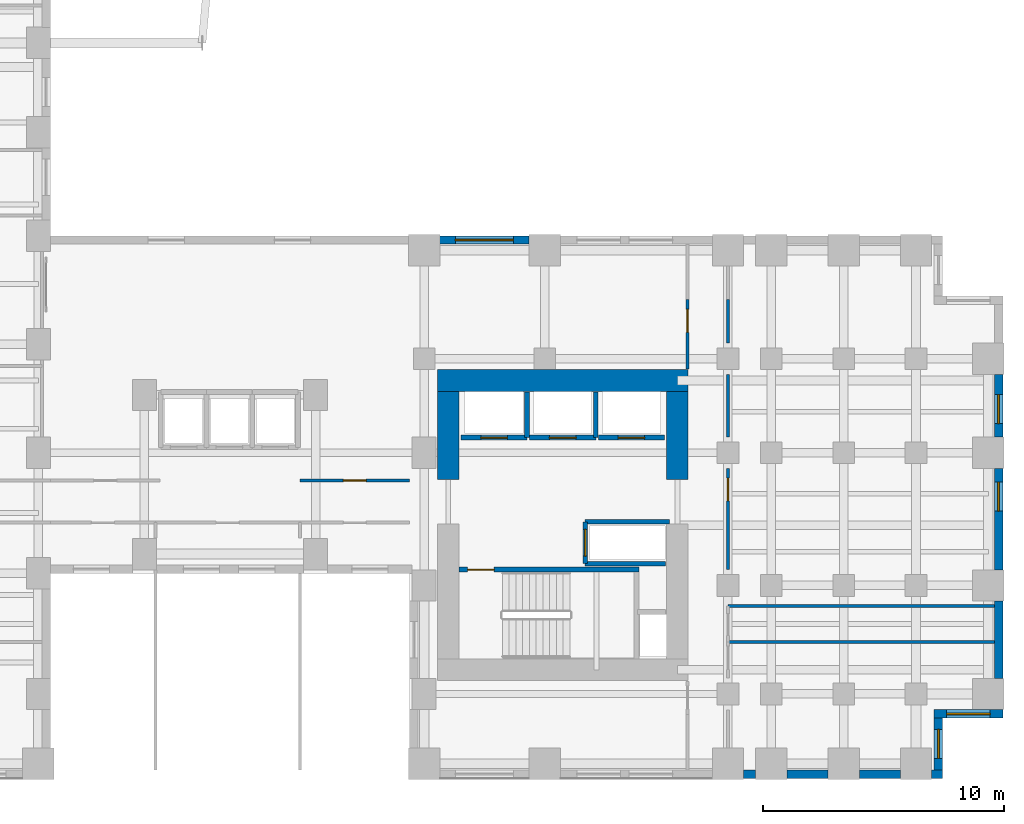
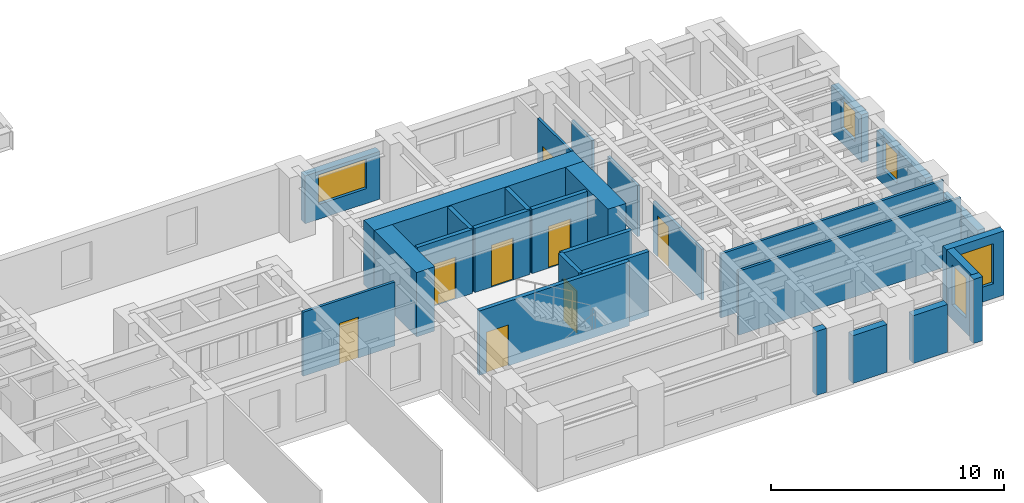
# One storey, part 10 of 14: 29 walls, 8 doors, 5 windows, 13 openings.
"""IFC4 building model written with IfcOpenShell, lengths in metres."""

from ifc_helpers import new_model, si_unit, direction, frame, frame_2d, origin, place, context, subcontext, project, spatial, rectangle, extrude, source, transform, mapped, material, layer, layer_set, type_object, element, fill, save


model = new_model("IFC4")

# Units and contexts
model_context = context("Model", 3, precision=1e-05, world=origin(), true_north=direction((0.0, 1.0)))
body_context = subcontext(model_context, "Body", "Model", "MODEL_VIEW")
ifc_project = project(units=[si_unit("LENGTHUNIT", "METRE"), si_unit("AREAUNIT", "SQUARE_METRE"), si_unit("VOLUMEUNIT", "CUBIC_METRE"), si_unit("PLANEANGLEUNIT", "RADIAN"), si_unit("MASSUNIT", "GRAM", prefix="KILO")], contexts=[model_context])

# Site, building, storey
site_placement = place(None, origin())
site = spatial("IfcSite", under=ifc_project, at=site_placement, CompositionType="ELEMENT")
building_placement = place(site_placement, origin())
building = spatial("IfcBuilding", under=site, at=building_placement, Name="Kharzan Plaza Tower", CompositionType="ELEMENT")
storey_placement = place(building_placement, frame((0.0, 0.0, 36.89990234375)))
storey = spatial("IfcBuildingStorey", under=building, at=storey_placement, Name="L09", CompositionType="ELEMENT", Elevation=36.89990234375)

# Wall, opening, window
ifc_material_1 = material(Name="Concrete C40/50", Category="concrete")
ifc_layer_1 = layer(ifc_material_1, 0.35009765625)
ifc_layer_set_1 = layer_set([ifc_layer_1], Name="Concrete C40/50")
wall_type_1 = type_object("IfcWallType", Name="WL-EXT-MAS-Z1", PredefinedType="SOLIDWALL", material=ifc_layer_set_1)
wall_1_placement = place(storey_placement, frame((56.324951171875, 0.347900390625, 0.0), z_axis=(0.0, 0.0, 1.0), x_axis=(0.0, 1.0, 0.0)))
wall_1 = element("IfcWall", 1, at=wall_1_placement, inside=storey, type_object=wall_type_1, Name="L09 Masonry-Frame Exterior Wall 39", PredefinedType="SOLIDWALL", context=body_context, shape_type="SweptSolid", body=[
    extrude(rectangle(XDim=2.154052734375, YDim=0.35009765625, at=frame_2d((1.0771484375, 0.0))), origin(), (0.0, 0.0, 1.0), 3.364990234375),
])
opening_1_placement = place(wall_1_placement, frame((0.47705078125, 0.0, 0.780029296875)))
opening_1 = element("IfcOpeningElement", 2, at=opening_1_placement, cuts=wall_1, Name="Opening W3", PredefinedType="OPENING", context=body_context, shape_type="SweptSolid", body=[
    extrude(rectangle(XDim=1.199951171875, YDim=2.10009765625, at=frame_2d((0.60009765625, 1.050048828125))), frame((0.0, 0.18505859375, 0.0), z_axis=(0.0, -1.0, 0.0), x_axis=(1.0, 0.0, 0.0)), (0.0, 0.0, 1.0), 0.3701171875),
])
ifc_material_2 = material(Name="Low-E Double Glazing", Category="glass")
window_type_1 = type_object("IfcWindowType", Name="WN-REC-1200x2100", PartitioningType="SINGLE_PANEL", PredefinedType="WINDOW", material=ifc_material_2)
shared_shape_1 = source(origin(), body_context, "Body", "SweptSolid", [
    extrude(rectangle(XDim=1.199951171875, YDim=2.10009765625, at=frame_2d((0.60009765625, 1.050048828125))), frame((0.0, 0.030029296875, 0.0), z_axis=(0.0, -1.0, 0.0), x_axis=(1.0, 0.0, 0.0)), (0.0, 0.0, 1.0), 0.06005859375),
])
window_1_placement = place(opening_1_placement, origin())
window_1 = element("IfcWindow", 3, at=window_1_placement, inside=storey, type_object=window_type_1, Name="L09 Recessed Solar-Control Window 39-1", OverallHeight=2.10009765625, OverallWidth=1.199951171875, PartitioningType="SINGLE_PANEL", PredefinedType="WINDOW", context=body_context, shape_type="MappedRepresentation", body=[
    mapped(shared_shape_1, transform((0.0, 0.0, 0.0), x_axis=(1.0, 0.0, 0.0), y_axis=(0.0, 1.0, 0.0), z_axis=(0.0, 0.0, 1.0))),
])
fill(opening_1, window_1)

wall_2_placement = place(storey_placement, frame((56.14990234375, 2.675048828125, 0.0), z_axis=(0.0, 0.0, 1.0), x_axis=(1.0, 0.0, 0.0)))
wall_2 = element("IfcWall", 4, at=wall_2_placement, inside=storey, type_object=wall_type_1, Name="L09 Masonry-Frame Exterior Wall 40", PredefinedType="SOLIDWALL", context=body_context, shape_type="SweptSolid", body=[
    extrude(rectangle(XDim=2.85009765625, YDim=0.35009765625, at=frame_2d((1.425048828125, 0.0))), origin(), (0.0, 0.0, 1.0), 3.364990234375),
])
opening_2_placement = place(wall_2_placement, frame((0.52490234375, 0.0, 0.780029296875)))
opening_2 = element("IfcOpeningElement", 5, at=opening_2_placement, cuts=wall_2, Name="Opening W1", PredefinedType="OPENING", context=body_context, shape_type="SweptSolid", body=[
    extrude(rectangle(XDim=1.800048828125, YDim=2.10009765625, at=frame_2d((0.89990234375, 1.050048828125))), frame((0.0, 0.18505859375, 0.0), z_axis=(0.0, -1.0, 0.0), x_axis=(1.0, 0.0, 0.0)), (0.0, 0.0, 1.0), 0.3701171875),
])
window_type_2 = type_object("IfcWindowType", Name="WN-REC-1800x2100", PartitioningType="SINGLE_PANEL", PredefinedType="WINDOW", material=ifc_material_2)
shared_shape_2 = source(origin(), body_context, "Body", "SweptSolid", [
    extrude(rectangle(XDim=1.800048828125, YDim=2.10009765625, at=frame_2d((0.89990234375, 1.050048828125))), frame((0.0, 0.030029296875, 0.0), z_axis=(0.0, -1.0, 0.0), x_axis=(1.0, 0.0, 0.0)), (0.0, 0.0, 1.0), 0.06005859375),
])
window_2_placement = place(opening_2_placement, origin())
window_2 = element("IfcWindow", 6, at=window_2_placement, inside=storey, type_object=window_type_2, Name="L09 Recessed Solar-Control Window 40-1", OverallHeight=2.10009765625, OverallWidth=1.800048828125, PartitioningType="SINGLE_PANEL", PredefinedType="WINDOW", context=body_context, shape_type="MappedRepresentation", body=[
    mapped(shared_shape_2, transform((0.0, 0.0, 0.0), x_axis=(1.0, 0.0, 0.0), y_axis=(0.0, 1.0, 0.0), z_axis=(0.0, 0.0, 1.0))),
])
fill(opening_2, window_2)

wall_3_placement = place(storey_placement, frame((58.824951171875, 8.64794921875, 0.0), z_axis=(0.0, 0.0, 1.0), x_axis=(0.0, 1.0, 0.0)))
wall_3 = element("IfcWall", 7, at=wall_3_placement, inside=storey, type_object=wall_type_1, Name="L09 Masonry-Frame Exterior Wall 42", PredefinedType="SOLIDWALL", context=body_context, shape_type="SweptSolid", body=[
    extrude(rectangle(XDim=4.2041015625, YDim=0.35009765625, at=frame_2d((2.10205078125, 0.0))), origin(), (0.0, 0.0, 1.0), 2.510009765625),
])
opening_3_placement = place(wall_3_placement, frame((2.436767578125, 0.0, 0.780029296875)))
opening_3 = element("IfcOpeningElement", 8, at=opening_3_placement, cuts=wall_3, Name="Opening W3", PredefinedType="OPENING", context=body_context, shape_type="SweptSolid", body=[
    extrude(rectangle(XDim=1.199951171875, YDim=1.550048828125, at=frame_2d((0.60009765625, 0.77490234375))), frame((0.0, 0.18505859375, 0.0), z_axis=(0.0, -1.0, 0.0), x_axis=(1.0, 0.0, 0.0)), (0.0, 0.0, 1.0), 0.3701171875),
])
shared_shape_3 = source(origin(), body_context, "Body", "SweptSolid", [
    extrude(rectangle(XDim=1.199951171875, YDim=1.550048828125, at=frame_2d((0.60009765625, 0.77490234375))), frame((0.0, 0.030029296875, 0.0), z_axis=(0.0, -1.0, 0.0), x_axis=(1.0, 0.0, 0.0)), (0.0, 0.0, 1.0), 0.06005859375),
])
window_3_placement = place(opening_3_placement, origin())
window_3 = element("IfcWindow", 9, at=window_3_placement, inside=storey, type_object=window_type_1, Name="L09 Recessed Solar-Control Window 42-1", OverallHeight=1.550048828125, OverallWidth=1.199951171875, PartitioningType="SINGLE_PANEL", PredefinedType="WINDOW", context=body_context, shape_type="MappedRepresentation", body=[
    mapped(shared_shape_3, transform((0.0, 0.0, 0.0), x_axis=(1.0, 0.0, 0.0), y_axis=(0.0, 1.0, 0.0), z_axis=(0.0, 0.0, 1.0))),
])
fill(opening_3, window_3)

wall_4_placement = place(storey_placement, frame((58.824951171875, 14.14794921875, 0.0), z_axis=(0.0, 0.0, 1.0), x_axis=(0.0, 1.0, 0.0)))
wall_4 = element("IfcWall", 10, at=wall_4_placement, inside=storey, type_object=wall_type_1, Name="L09 Masonry-Frame Exterior Wall 43", PredefinedType="SOLIDWALL", context=body_context, shape_type="SweptSolid", body=[
    extrude(rectangle(XDim=2.60400390625, YDim=0.35009765625, at=frame_2d((1.302001953125, 0.0))), origin(), (0.0, 0.0, 1.0), 2.510009765625),
])
opening_4_placement = place(wall_4_placement, frame((0.5673828125, 0.0, 0.780029296875)))
opening_4 = element("IfcOpeningElement", 11, at=opening_4_placement, cuts=wall_4, Name="Opening W3", PredefinedType="OPENING", context=body_context, shape_type="SweptSolid", body=[
    extrude(rectangle(XDim=1.199951171875, YDim=1.550048828125, at=frame_2d((0.60009765625, 0.77490234375))), frame((0.0, 0.18505859375, 0.0), z_axis=(0.0, -1.0, 0.0), x_axis=(1.0, 0.0, 0.0)), (0.0, 0.0, 1.0), 0.3701171875),
])
window_4_placement = place(opening_4_placement, origin())
window_4 = element("IfcWindow", 12, at=window_4_placement, inside=storey, type_object=window_type_1, Name="L09 Recessed Solar-Control Window 43-1", OverallHeight=1.550048828125, OverallWidth=1.199951171875, PartitioningType="SINGLE_PANEL", PredefinedType="WINDOW", context=body_context, shape_type="MappedRepresentation", body=[
    mapped(shared_shape_3, transform((0.0, 0.0, 0.0), x_axis=(1.0, 0.0, 0.0), y_axis=(0.0, 1.0, 0.0), z_axis=(0.0, 0.0, 1.0))),
])
fill(opening_4, window_4)

wall_5_placement = place(storey_placement, frame((39.35205078125, 22.324951171875, 0.0), z_axis=(0.0, 0.0, 1.0), x_axis=(-1.0, 0.0, 0.0)))
wall_5 = element("IfcWall", 13, at=wall_5_placement, inside=storey, type_object=wall_type_1, Name="L09 Masonry-Frame Exterior Wall 52", PredefinedType="SOLIDWALL", context=body_context, shape_type="SweptSolid", body=[
    extrude(rectangle(XDim=3.7041015625, YDim=0.35009765625, at=frame_2d((1.85205078125, 0.0))), origin(), (0.0, 0.0, 1.0), 2.510009765625),
])
opening_5_placement = place(wall_5_placement, frame((0.652099609375, 0.0, 0.780029296875)))
opening_5 = element("IfcOpeningElement", 14, at=opening_5_placement, cuts=wall_5, Name="Opening W2", PredefinedType="OPENING", context=body_context, shape_type="SweptSolid", body=[
    extrude(rectangle(XDim=2.39990234375, YDim=1.550048828125, at=frame_2d((1.199951171875, 0.77490234375))), frame((0.0, 0.18505859375, 0.0), z_axis=(0.0, -1.0, 0.0), x_axis=(1.0, 0.0, 0.0)), (0.0, 0.0, 1.0), 0.3701171875),
])
window_type_3 = type_object("IfcWindowType", Name="WN-REC-2400x2100", PartitioningType="SINGLE_PANEL", PredefinedType="WINDOW", material=ifc_material_2)
shared_shape_4 = source(origin(), body_context, "Body", "SweptSolid", [
    extrude(rectangle(XDim=2.39990234375, YDim=1.550048828125, at=frame_2d((1.199951171875, 0.77490234375))), frame((0.0, 0.030029296875, 0.0), z_axis=(0.0, -1.0, 0.0), x_axis=(1.0, 0.0, 0.0)), (0.0, 0.0, 1.0), 0.06005859375),
])
window_5_placement = place(opening_5_placement, origin())
window_5 = element("IfcWindow", 15, at=window_5_placement, inside=storey, type_object=window_type_3, Name="L09 Wide Recessed Solar-Control Window 52-1", OverallHeight=1.550048828125, OverallWidth=2.39990234375, PartitioningType="SINGLE_PANEL", PredefinedType="WINDOW", context=body_context, shape_type="MappedRepresentation", body=[
    mapped(shared_shape_4, transform((0.0, 0.0, 0.0), x_axis=(1.0, 0.0, 0.0), y_axis=(0.0, 1.0, 0.0), z_axis=(0.0, 0.0, 1.0))),
])
fill(opening_5, window_5)

# Wall, opening, door
ifc_material_3 = material(Name="Fire-Rated Gypsum Board Partition", Category="gypsum")
ifc_layer_2 = layer(ifc_material_3, 0.125)
ifc_layer_set_2 = layer_set([ifc_layer_2], Name="Fire-Rated Gypsum Board Partition")
wall_type_2 = type_object("IfcWallType", Name="WL-INT-PART-125", PredefinedType="PARTITIONING", material=ifc_layer_set_2)
wall_6_placement = place(storey_placement, frame((47.60009765625, 8.659912109375, 0.0), z_axis=(0.0, 0.0, 1.0), x_axis=(0.0, 1.0, 0.0)))
wall_6 = element("IfcWall", 16, at=wall_6_placement, inside=storey, type_object=wall_type_2, Name="L09 Interior Partition SH-B0W1-S1", PredefinedType="PARTITIONING", context=body_context, shape_type="SweptSolid", body=[
    extrude(rectangle(XDim=4.18017578125, YDim=0.125, at=frame_2d((2.090087890625, 0.0))), origin(), (0.0, 0.0, 1.0), 2.670166015625),
])
opening_6_placement = place(wall_6_placement, frame((2.844970703125, 0.0, 0.0)))
opening_6 = element("IfcOpeningElement", 17, at=opening_6_placement, cuts=wall_6, Name="Opening OD1", PredefinedType="OPENING", context=body_context, shape_type="SweptSolid", body=[
    extrude(rectangle(XDim=0.949951171875, YDim=2.14990234375, at=frame_2d((0.47509765625, 1.074951171875))), frame((0.0, 0.072509765625, 0.0), z_axis=(0.0, -1.0, 0.0), x_axis=(1.0, 0.0, 0.0)), (0.0, 0.0, 1.0), 0.14501953125),
])
ifc_material_4 = material(Name="Acoustic Solid-Core Stained Oak", Category="timber")
door_type_1 = type_object("IfcDoorType", Name="DR-OFF-SINGLE", OperationType="NOTDEFINED", PredefinedType="DOOR", material=ifc_material_4)
shared_shape_5 = source(origin(), body_context, "Body", "SweptSolid", [
    extrude(rectangle(XDim=0.949951171875, YDim=2.14990234375, at=frame_2d((0.47509765625, 1.074951171875))), frame((0.0, 0.02490234375, 0.0), z_axis=(0.0, -1.0, 0.0), x_axis=(1.0, 0.0, 0.0)), (0.0, 0.0, 1.0), 0.050048828125),
])
door_1_placement = place(opening_6_placement, origin())
door_1 = element("IfcDoor", 18, at=door_1_placement, inside=storey, type_object=door_type_1, Name="L09 Open Engineering Workspace Door", OperationType="SINGLE_SWING_LEFT", OverallHeight=2.14990234375, OverallWidth=0.949951171875, PredefinedType="DOOR", context=body_context, shape_type="MappedRepresentation", body=[
    mapped(shared_shape_5, transform((0.0, 0.0, 0.0), x_axis=(1.0, 0.0, 0.0), y_axis=(0.0, 1.0, 0.0), z_axis=(0.0, 0.0, 1.0))),
])
fill(opening_6, door_1)

wall_7_placement = place(storey_placement, frame((45.919921875, 16.97998046875, 0.0), z_axis=(0.0, 0.0, 1.0), x_axis=(0.0, 1.0, 0.0)))
wall_7 = element("IfcWall", 19, at=wall_7_placement, inside=storey, type_object=wall_type_2, Name="L09 Interior Partition SH-RBNE", PredefinedType="PARTITIONING", context=body_context, shape_type="SweptSolid", body=[
    extrude(rectangle(XDim=2.8701171875, YDim=0.125, at=frame_2d((1.43505859375, 0.0))), origin(), (0.0, 0.0, 1.0), 3.364990234375),
])
opening_7_placement = place(wall_7_placement, frame((1.51708984375, 0.0, 0.0)))
opening_7 = element("IfcOpeningElement", 20, at=opening_7_placement, cuts=wall_7, Name="Opening OD1", PredefinedType="OPENING", context=body_context, shape_type="SweptSolid", body=[
    extrude(rectangle(XDim=0.949951171875, YDim=2.14990234375, at=frame_2d((0.47509765625, 1.074951171875))), frame((0.0, 0.072509765625, 0.0), z_axis=(0.0, -1.0, 0.0), x_axis=(1.0, 0.0, 0.0)), (0.0, 0.0, 1.0), 0.14501953125),
])
door_2_placement = place(opening_7_placement, origin())
door_2 = element("IfcDoor", 21, at=door_2_placement, inside=storey, type_object=door_type_1, Name="L09 Wing B North Studio Door", OperationType="SINGLE_SWING_LEFT", OverallHeight=2.14990234375, OverallWidth=0.949951171875, PredefinedType="DOOR", context=body_context, shape_type="MappedRepresentation", body=[
    mapped(shared_shape_5, transform((0.0, 0.0, 0.0), x_axis=(1.0, 0.0, 0.0), y_axis=(0.0, 1.0, 0.0), z_axis=(0.0, 0.0, 1.0))),
])
fill(opening_7, door_2)

wall_8_placement = place(storey_placement, frame((29.85009765625, 12.35009765625, 0.0), z_axis=(0.0, 0.0, 1.0), x_axis=(1.0, 0.0, 0.0)))
wall_8 = element("IfcWall", 22, at=wall_8_placement, inside=storey, type_object=wall_type_2, Name="L09 Interior Partition SH-SPNE1", PredefinedType="PARTITIONING", context=body_context, shape_type="SweptSolid", body=[
    extrude(rectangle(XDim=4.5498046875, YDim=0.125, at=frame_2d((2.27490234375, 0.0))), origin(), (0.0, 0.0, 1.0), 3.364990234375),
])
opening_8_placement = place(wall_8_placement, frame((1.800048828125, 0.0, 0.0)))
opening_8 = element("IfcOpeningElement", 23, at=opening_8_placement, cuts=wall_8, Name="Opening OD1", PredefinedType="OPENING", context=body_context, shape_type="SweptSolid", body=[
    extrude(rectangle(XDim=0.949951171875, YDim=2.14990234375, at=frame_2d((0.47509765625, 1.074951171875))), frame((0.0, 0.072509765625, 0.0), z_axis=(0.0, -1.0, 0.0), x_axis=(1.0, 0.0, 0.0)), (0.0, 0.0, 1.0), 0.14501953125),
])
door_3_placement = place(opening_8_placement, origin())
door_3 = element("IfcDoor", 24, at=door_3_placement, inside=storey, type_object=door_type_1, Name="L09 North-East Spine Door", OperationType="SINGLE_SWING_LEFT", OverallHeight=2.14990234375, OverallWidth=0.949951171875, PredefinedType="DOOR", context=body_context, shape_type="MappedRepresentation", body=[
    mapped(shared_shape_5, transform((0.0, 0.0, 0.0), x_axis=(1.0, 0.0, 0.0), y_axis=(0.0, 1.0, 0.0), z_axis=(0.0, 0.0, 1.0))),
])
fill(opening_8, door_3)

ifc_layer_3 = layer(ifc_material_1, 0.199951171875)
ifc_layer_set_3 = layer_set([ifc_layer_3], Name="Concrete C40/50")
wall_type_3 = type_object("IfcWallType", Name="WL-INT-SHAFT-200", PredefinedType="PARTITIONING", material=ifc_layer_set_3)
wall_9_placement = place(storey_placement, frame((36.530029296875, 14.1298828125, 0.0), z_axis=(0.0, 0.0, 1.0), x_axis=(1.0, 0.0, 0.0)))
wall_9 = element("IfcWall", 25, at=wall_9_placement, inside=storey, type_object=wall_type_3, Name="L09 Interior Partition SHF-PL-L1-S", PredefinedType="PARTITIONING", context=body_context, shape_type="SweptSolid", body=[
    extrude(rectangle(XDim=2.739990234375, YDim=0.199951171875, at=frame_2d((1.3701171875, 0.0))), origin(), (0.0, 0.0, 1.0), 3.364990234375),
])
opening_9_placement = place(wall_9_placement, frame((0.820068359375, 0.0, 0.0)))
opening_9 = element("IfcOpeningElement", 26, at=opening_9_placement, cuts=wall_9, Name="Opening LD", PredefinedType="OPENING", context=body_context, shape_type="SweptSolid", body=[
    extrude(rectangle(XDim=1.10009765625, YDim=2.199951171875, at=frame_2d((0.550048828125, 1.10009765625))), frame((0.0, 0.10986328125, 0.0), z_axis=(0.0, -1.0, 0.0), x_axis=(1.0, 0.0, 0.0)), (0.0, 0.0, 1.0), 0.219970703125),
])
ifc_material_5 = material(Name="Brushed Stainless Steel", Category="steel")
door_type_2 = type_object("IfcDoorType", Name="DR-LIFT-SLIDE", OperationType="SLIDING_TO_LEFT", PredefinedType="DOOR", material=ifc_material_5)
shared_shape_6 = source(origin(), body_context, "Body", "SweptSolid", [
    extrude(rectangle(XDim=1.10009765625, YDim=2.199951171875, at=frame_2d((0.550048828125, 1.10009765625))), frame((0.0, 0.02490234375, 0.0), z_axis=(0.0, -1.0, 0.0), x_axis=(1.0, 0.0, 0.0)), (0.0, 0.0, 1.0), 0.050048828125),
])
door_4_placement = place(opening_9_placement, origin())
door_4 = element("IfcDoor", 27, at=door_4_placement, inside=storey, type_object=door_type_2, Name="L09 Low-Rise Passenger Lift PL-L1 Sliding Landing Door", OperationType="SLIDING_TO_LEFT", OverallHeight=2.199951171875, OverallWidth=1.10009765625, PredefinedType="DOOR", context=body_context, shape_type="MappedRepresentation", body=[
    mapped(shared_shape_6, transform((0.0, 0.0, 0.0), x_axis=(1.0, 0.0, 0.0), y_axis=(0.0, 1.0, 0.0), z_axis=(0.0, 0.0, 1.0))),
])
fill(opening_9, door_4)

wall_10_placement = place(storey_placement, frame((39.3798828125, 14.1298828125, 0.0), z_axis=(0.0, 0.0, 1.0), x_axis=(1.0, 0.0, 0.0)))
wall_10 = element("IfcWall", 28, at=wall_10_placement, inside=storey, type_object=wall_type_3, Name="L09 Interior Partition SHF-PL-L2-S", PredefinedType="PARTITIONING", context=body_context, shape_type="SweptSolid", body=[
    extrude(rectangle(XDim=2.740234375, YDim=0.199951171875, at=frame_2d((1.3701171875, 0.0))), origin(), (0.0, 0.0, 1.0), 3.364990234375),
])
opening_10_placement = place(wall_10_placement, frame((0.820068359375, 0.0, 0.0)))
opening_10 = element("IfcOpeningElement", 29, at=opening_10_placement, cuts=wall_10, Name="Opening LD", PredefinedType="OPENING", context=body_context, shape_type="SweptSolid", body=[
    extrude(rectangle(XDim=1.10009765625, YDim=2.199951171875, at=frame_2d((0.550048828125, 1.10009765625))), frame((0.0, 0.10986328125, 0.0), z_axis=(0.0, -1.0, 0.0), x_axis=(1.0, 0.0, 0.0)), (0.0, 0.0, 1.0), 0.219970703125),
])
door_5_placement = place(opening_10_placement, origin())
door_5 = element("IfcDoor", 30, at=door_5_placement, inside=storey, type_object=door_type_2, Name="L09 Low-Rise Passenger Lift PL-L2 Sliding Landing Door", OperationType="SLIDING_TO_LEFT", OverallHeight=2.199951171875, OverallWidth=1.10009765625, PredefinedType="DOOR", context=body_context, shape_type="MappedRepresentation", body=[
    mapped(shared_shape_6, transform((0.0, 0.0, 0.0), x_axis=(1.0, 0.0, 0.0), y_axis=(0.0, 1.0, 0.0), z_axis=(0.0, 0.0, 1.0))),
])
fill(opening_10, door_5)

wall_11_placement = place(storey_placement, frame((42.22998046875, 14.1298828125, 0.0), z_axis=(0.0, 0.0, 1.0), x_axis=(1.0, 0.0, 0.0)))
wall_11 = element("IfcWall", 31, at=wall_11_placement, inside=storey, type_object=wall_type_3, Name="L09 Interior Partition SHF-PL-L3-S", PredefinedType="PARTITIONING", context=body_context, shape_type="SweptSolid", body=[
    extrude(rectangle(XDim=2.739990234375, YDim=0.199951171875, at=frame_2d((1.3701171875, 0.0))), origin(), (0.0, 0.0, 1.0), 3.364990234375),
])
opening_11_placement = place(wall_11_placement, frame((0.820068359375, 0.0, 0.0)))
opening_11 = element("IfcOpeningElement", 32, at=opening_11_placement, cuts=wall_11, Name="Opening LD", PredefinedType="OPENING", context=body_context, shape_type="SweptSolid", body=[
    extrude(rectangle(XDim=1.10009765625, YDim=2.199951171875, at=frame_2d((0.550048828125, 1.10009765625))), frame((0.0, 0.10986328125, 0.0), z_axis=(0.0, -1.0, 0.0), x_axis=(1.0, 0.0, 0.0)), (0.0, 0.0, 1.0), 0.219970703125),
])
door_6_placement = place(opening_11_placement, origin())
door_6 = element("IfcDoor", 33, at=door_6_placement, inside=storey, type_object=door_type_2, Name="L09 Low-Rise Passenger Lift PL-L3 Sliding Landing Door", OperationType="SLIDING_TO_LEFT", OverallHeight=2.199951171875, OverallWidth=1.10009765625, PredefinedType="DOOR", context=body_context, shape_type="MappedRepresentation", body=[
    mapped(shared_shape_6, transform((0.0, 0.0, 0.0), x_axis=(1.0, 0.0, 0.0), y_axis=(0.0, 1.0, 0.0), z_axis=(0.0, 0.0, 1.0))),
])
fill(opening_11, door_6)

wall_12_placement = place(storey_placement, frame((41.679931640625, 8.89990234375, 0.0), z_axis=(0.0, 0.0, 1.0), x_axis=(0.0, 1.0, 0.0)))
wall_12 = element("IfcWall", 34, at=wall_12_placement, inside=storey, type_object=wall_type_3, Name="L09 Interior Partition SHF-SVL-2-W", PredefinedType="PARTITIONING", context=body_context, shape_type="SweptSolid", body=[
    extrude(rectangle(XDim=1.739990234375, YDim=0.199951171875, at=frame_2d((0.8701171875, 0.0))), origin(), (0.0, 0.0, 1.0), 3.364990234375),
])
opening_12_placement = place(wall_12_placement, frame((0.320068359375, 0.0, 0.0)))
opening_12 = element("IfcOpeningElement", 35, at=opening_12_placement, cuts=wall_12, Name="Opening LD", PredefinedType="OPENING", context=body_context, shape_type="SweptSolid", body=[
    extrude(rectangle(XDim=1.10009765625, YDim=2.199951171875, at=frame_2d((0.550048828125, 1.10009765625))), frame((0.0, 0.10986328125, 0.0), z_axis=(0.0, -1.0, 0.0), x_axis=(1.0, 0.0, 0.0)), (0.0, 0.0, 1.0), 0.219970703125),
])
door_7_placement = place(opening_12_placement, origin())
door_7 = element("IfcDoor", 36, at=door_7_placement, inside=storey, type_object=door_type_2, Name="L09 Service Lift SVL-2 Sliding Landing Door", OperationType="SLIDING_TO_LEFT", OverallHeight=2.199951171875, OverallWidth=1.10009765625, PredefinedType="DOOR", context=body_context, shape_type="MappedRepresentation", body=[
    mapped(shared_shape_6, transform((0.0, 0.0, 0.0), x_axis=(1.0, 0.0, 0.0), y_axis=(0.0, 1.0, 0.0), z_axis=(0.0, 0.0, 1.0))),
])
fill(opening_12, door_7)

ifc_material_6 = material(Name="Concrete C50/60", Category="concrete")
ifc_layer_4 = layer(ifc_material_6, 0.199951171875)
ifc_layer_set_4 = layer_set([ifc_layer_4], Name="Concrete C50/60")
wall_type_4 = type_object("IfcWallType", Name="WL-SHAFT-RC200", PredefinedType="SHEAR", material=ifc_layer_set_4)
wall_13_placement = place(storey_placement, frame((36.451904296875, 8.655029296875, 0.0), z_axis=(0.0, 0.0, 1.0), x_axis=(1.0, 0.0, 0.0)))
wall_13 = element("IfcWall", 37, at=wall_13_placement, inside=storey, type_object=wall_type_4, Name="L09 Stair ST-3 North RC Shaft Wall", PredefinedType="SHEAR", context=body_context, shape_type="SweptSolid", body=[
    extrude(rectangle(XDim=7.453125, YDim=0.199951171875, at=frame_2d((3.7265625, 0.0))), origin(), (0.0, 0.0, 1.0), 3.380126953125),
])
opening_13_placement = place(wall_13_placement, frame((0.35009765625, 0.0, 0.0)))
opening_13 = element("IfcOpeningElement", 38, at=opening_13_placement, cuts=wall_13, Name="Opening SD1", PredefinedType="OPENING", context=body_context, shape_type="SweptSolid", body=[
    extrude(rectangle(XDim=1.10009765625, YDim=2.14990234375, at=frame_2d((0.550048828125, 1.074951171875))), frame((0.0, 0.10986328125, 0.0), z_axis=(0.0, -1.0, 0.0), x_axis=(1.0, 0.0, 0.0)), (0.0, 0.0, 1.0), 0.219970703125),
])
ifc_material_7 = material(Name="Fire-Rated Hollow Galvanized Steel", Category="steel")
door_type_3 = type_object("IfcDoorType", Name="DR-STAIR-FD120", OperationType="NOTDEFINED", PredefinedType="DOOR", material=ifc_material_7)
shared_shape_7 = source(origin(), body_context, "Body", "SweptSolid", [
    extrude(rectangle(XDim=1.10009765625, YDim=2.14990234375, at=frame_2d((0.550048828125, 1.074951171875))), frame((0.0, 0.02490234375, 0.0), z_axis=(0.0, -1.0, 0.0), x_axis=(1.0, 0.0, 0.0)), (0.0, 0.0, 1.0), 0.050048828125),
])
door_8_placement = place(opening_13_placement, origin())
door_8 = element("IfcDoor", 39, at=door_8_placement, inside=storey, type_object=door_type_3, Name="L09 Stair ST-3 Fire Exit Door", OperationType="SINGLE_SWING_LEFT", OverallHeight=2.14990234375, OverallWidth=1.10009765625, PredefinedType="DOOR", context=body_context, shape_type="MappedRepresentation", body=[
    mapped(shared_shape_7, transform((0.0, 0.0, 0.0), x_axis=(1.0, 0.0, 0.0), y_axis=(0.0, 1.0, 0.0), z_axis=(0.0, 0.0, 1.0))),
])
fill(opening_13, door_8)

# Walls
shared_shape_8 = source(origin(), body_context, "Body", "SweptSolid", [
    extrude(rectangle(XDim=0.50390625, YDim=0.35009765625, at=frame_2d((0.251953125, 0.0))), origin(), (0.0, 0.0, 1.0), 3.364990234375),
])
wall_14_placement = place(storey_placement, frame((48.248046875, 0.175048828125, 0.0), z_axis=(0.0, 0.0, 1.0), x_axis=(1.0, 0.0, 0.0)))
element("IfcWall", 40, at=wall_14_placement, inside=storey, type_object=wall_type_1, Name="L09 Masonry-Frame Exterior Wall 35", PredefinedType="SOLIDWALL", context=body_context, shape_type="MappedRepresentation", body=[
    mapped(shared_shape_8, transform((0.0, 0.0, 0.0), x_axis=(1.0, 0.0, 0.0), y_axis=(0.0, 1.0, 0.0), z_axis=(0.0, 0.0, 1.0))),
])
shared_shape_9 = source(origin(), body_context, "Body", "SweptSolid", [
    extrude(rectangle(XDim=1.703857421875, YDim=0.35009765625, at=frame_2d((0.85205078125, 0.0))), origin(), (0.0, 0.0, 1.0), 2.510009765625),
])
for number, where, z_axis, x_axis, name in (
    (41, (50.048095703125, 0.175048828125, 0.0), (0.0, 0.0, 1.0), (1.0, 0.0, 0.0), "L09 Masonry-Frame Exterior Wall 36"),
    (42, (53.048095703125, 0.175048828125, 0.0), (0.0, 0.0, 1.0), (1.0, 0.0, 0.0), "L09 Masonry-Frame Exterior Wall 37"),
):
    element("IfcWall", number, at=place(storey_placement, frame(where, z_axis=z_axis, x_axis=x_axis)), inside=storey, type_object=wall_type_1, Name=name, PredefinedType="SOLIDWALL", context=body_context, shape_type="MappedRepresentation", body=[
        mapped(shared_shape_9, transform((0.0, 0.0, 0.0), x_axis=(1.0, 0.0, 0.0), y_axis=(0.0, 1.0, 0.0), z_axis=(0.0, 0.0, 1.0))),
    ])
shared_shape_10 = source(origin(), body_context, "Body", "SweptSolid", [
    extrude(rectangle(XDim=0.451904296875, YDim=0.35009765625, at=frame_2d((0.22607421875, 0.0))), origin(), (0.0, 0.0, 1.0), 3.364990234375),
])
wall_15_placement = place(storey_placement, frame((56.048095703125, 0.175048828125, 0.0), z_axis=(0.0, 0.0, 1.0), x_axis=(1.0, 0.0, 0.0)))
element("IfcWall", 43, at=wall_15_placement, inside=storey, type_object=wall_type_1, Name="L09 Masonry-Frame Exterior Wall 38", PredefinedType="SOLIDWALL", context=body_context, shape_type="MappedRepresentation", body=[
    mapped(shared_shape_10, transform((0.0, 0.0, 0.0), x_axis=(1.0, 0.0, 0.0), y_axis=(0.0, 1.0, 0.0), z_axis=(0.0, 0.0, 1.0))),
])
shared_shape_11 = source(origin(), body_context, "Body", "SweptSolid", [
    extrude(rectangle(XDim=3.2041015625, YDim=0.35009765625, at=frame_2d((1.60205078125, 0.0))), origin(), (0.0, 0.0, 1.0), 2.510009765625),
])
wall_16_placement = place(storey_placement, frame((58.824951171875, 4.14794921875, 0.0), z_axis=(0.0, 0.0, 1.0), x_axis=(0.0, 1.0, 0.0)))
element("IfcWall", 44, at=wall_16_placement, inside=storey, type_object=wall_type_1, Name="L09 Masonry-Frame Exterior Wall 41", PredefinedType="SOLIDWALL", context=body_context, shape_type="MappedRepresentation", body=[
    mapped(shared_shape_11, transform((0.0, 0.0, 0.0), x_axis=(1.0, 0.0, 0.0), y_axis=(0.0, 1.0, 0.0), z_axis=(0.0, 0.0, 1.0))),
])
shared_shape_12 = source(origin(), body_context, "Body", "SweptSolid", [
    extrude(rectangle(XDim=11.0478515625, YDim=0.125, at=frame_2d((5.52392578125, 0.0))), origin(), (0.0, 0.0, 1.0), 3.364990234375),
])
for number, where, z_axis, x_axis, name in (
    (45, (47.60009765625, 5.64990234375, 0.0), (0.0, 0.0, 1.0), (1.0, 0.0, 0.0), "L09 Interior Partition SH-B0H1"),
    (46, (47.60009765625, 7.14990234375, 0.0), (0.0, 0.0, 1.0), (1.0, 0.0, 0.0), "L09 Interior Partition SH-B0H2"),
):
    element("IfcWall", number, at=place(storey_placement, frame(where, z_axis=z_axis, x_axis=x_axis)), inside=storey, type_object=wall_type_2, Name=name, PredefinedType="PARTITIONING", context=body_context, shape_type="MappedRepresentation", body=[
        mapped(shared_shape_12, transform((0.0, 0.0, 0.0), x_axis=(1.0, 0.0, 0.0), y_axis=(0.0, 1.0, 0.0), z_axis=(0.0, 0.0, 1.0))),
    ])
shared_shape_13 = source(origin(), body_context, "Body", "SweptSolid", [
    extrude(rectangle(XDim=1.89013671875, YDim=0.199951171875, at=frame_2d((0.945068359375, 0.0))), origin(), (0.0, 0.0, 1.0), 3.364990234375),
])
for number, where, z_axis, x_axis, name in (
    (47, (39.27001953125, 14.1298828125, 0.0), (0.0, 0.0, 1.0), (0.0, 1.0, 0.0), "L09 Interior Partition SHF-PL-L1-E"),
    (48, (42.1201171875, 14.1298828125, 0.0), (0.0, 0.0, 1.0), (0.0, 1.0, 0.0), "L09 Interior Partition SHF-PL-L2-E"),
):
    element("IfcWall", number, at=place(storey_placement, frame(where, z_axis=z_axis, x_axis=x_axis)), inside=storey, type_object=wall_type_3, Name=name, PredefinedType="PARTITIONING", context=body_context, shape_type="MappedRepresentation", body=[
        mapped(shared_shape_13, transform((0.0, 0.0, 0.0), x_axis=(1.0, 0.0, 0.0), y_axis=(0.0, 1.0, 0.0), z_axis=(0.0, 0.0, 1.0))),
    ])
shared_shape_14 = source(origin(), body_context, "Body", "SweptSolid", [
    extrude(rectangle(XDim=3.489990234375, YDim=0.199951171875, at=frame_2d((1.7451171875, 0.0))), origin(), (0.0, 0.0, 1.0), 3.364990234375),
])
wall_17_placement = place(storey_placement, frame((41.679931640625, 10.639892578125, 0.0), z_axis=(0.0, 0.0, 1.0), x_axis=(1.0, 0.0, 0.0)))
element("IfcWall", 49, at=wall_17_placement, inside=storey, type_object=wall_type_3, Name="L09 Interior Partition SHF-SVL-2-N", PredefinedType="PARTITIONING", context=body_context, shape_type="MappedRepresentation", body=[
    mapped(shared_shape_14, transform((0.0, 0.0, 0.0), x_axis=(1.0, 0.0, 0.0), y_axis=(0.0, 1.0, 0.0), z_axis=(0.0, 0.0, 1.0))),
])
shared_shape_15 = source(origin(), body_context, "Body", "SweptSolid", [
    extrude(rectangle(XDim=3.340087890625, YDim=0.199951171875, at=frame_2d((1.669921875, 0.0))), origin(), (0.0, 0.0, 1.0), 3.364990234375),
])
wall_18_placement = place(storey_placement, frame((41.679931640625, 8.89990234375, 0.0), z_axis=(0.0, 0.0, 1.0), x_axis=(1.0, 0.0, 0.0)))
element("IfcWall", 50, at=wall_18_placement, inside=storey, type_object=wall_type_3, Name="L09 Interior Partition SHF-SVL-2-S", PredefinedType="PARTITIONING", context=body_context, shape_type="MappedRepresentation", body=[
    mapped(shared_shape_15, transform((0.0, 0.0, 0.0), x_axis=(1.0, 0.0, 0.0), y_axis=(0.0, 1.0, 0.0), z_axis=(0.0, 0.0, 1.0))),
])
ifc_material_8 = material(Name="Concrete C60/75", Category="concrete")
ifc_layer_5 = layer(ifc_material_8, 0.89990234375)
ifc_layer_set_5 = layer_set([ifc_layer_5], Name="Concrete C60/75")
wall_type_5 = type_object("IfcWallType", Name="WL-CORE-900", PredefinedType="SHEAR", material=ifc_layer_set_5)
shared_shape_16 = source(origin(), body_context, "Body", "SweptSolid", [
    extrude(rectangle(XDim=3.650146484375, YDim=0.89990234375, at=frame_2d((1.8251953125, 0.0))), origin(), (0.0, 0.0, 1.0), 3.380126953125),
])
for number, where, z_axis, x_axis, name in (
    (51, (45.5, 12.39990234375, 0.0), (0.0, 0.0, 1.0), (0.0, 1.0, 0.0), "L09 CORE-B east shear pier 2"),
    (52, (36.0, 12.39990234375, 0.0), (0.0, 0.0, 1.0), (0.0, 1.0, 0.0), "L09 CORE-B west shear pier 2"),
):
    element("IfcWall", number, at=place(storey_placement, frame(where, z_axis=z_axis, x_axis=x_axis)), inside=storey, type_object=wall_type_5, Name=name, PredefinedType="SHEAR", context=body_context, shape_type="MappedRepresentation", body=[
        mapped(shared_shape_16, transform((0.0, 0.0, 0.0), x_axis=(1.0, 0.0, 0.0), y_axis=(0.0, 1.0, 0.0), z_axis=(0.0, 0.0, 1.0))),
    ])
shared_shape_17 = source(origin(), body_context, "Body", "SweptSolid", [
    extrude(rectangle(XDim=10.39990234375, YDim=0.89990234375, at=frame_2d((5.199951171875, 0.0))), origin(), (0.0, 0.0, 1.0), 3.380126953125),
])
wall_19_placement = place(storey_placement, frame((35.550048828125, 16.5, 0.0), z_axis=(0.0, 0.0, 1.0), x_axis=(1.0, 0.0, 0.0)))
element("IfcWall", 53, at=wall_19_placement, inside=storey, type_object=wall_type_5, Name="L09 CORE-B north RC shear wall", PredefinedType="SHEAR", context=body_context, shape_type="MappedRepresentation", body=[
    mapped(shared_shape_17, transform((0.0, 0.0, 0.0), x_axis=(1.0, 0.0, 0.0), y_axis=(0.0, 1.0, 0.0), z_axis=(0.0, 0.0, 1.0))),
])
shared_shape_18 = source(origin(), body_context, "Body", "SweptSolid", [
    extrude(rectangle(XDim=2.580078125, YDim=0.125, at=frame_2d((1.2900390625, 0.0))), origin(), (0.0, 0.0, 1.0), 2.670166015625),
])
wall_20_placement = place(storey_placement, frame((47.60009765625, 14.159912109375, 0.0), z_axis=(0.0, 0.0, 1.0), x_axis=(0.0, 1.0, 0.0)))
element("IfcWall", 54, at=wall_20_placement, inside=storey, type_object=wall_type_2, Name="L09 Interior Partition SH-B0W1-S2", PredefinedType="PARTITIONING", context=body_context, shape_type="MappedRepresentation", body=[
    mapped(shared_shape_18, transform((0.0, 0.0, 0.0), x_axis=(1.0, 0.0, 0.0), y_axis=(0.0, 1.0, 0.0), z_axis=(0.0, 0.0, 1.0))),
])
shared_shape_19 = source(origin(), body_context, "Body", "SweptSolid", [
    extrude(rectangle(XDim=1.7900390625, YDim=0.125, at=frame_2d((0.89501953125, 0.0))), origin(), (0.0, 0.0, 1.0), 2.670166015625),
])
wall_21_placement = place(storey_placement, frame((47.60009765625, 18.06005859375, 0.0), z_axis=(0.0, 0.0, 1.0), x_axis=(0.0, 1.0, 0.0)))
element("IfcWall", 55, at=wall_21_placement, inside=storey, type_object=wall_type_2, Name="L09 Interior Partition SH-B0W1-S3", PredefinedType="PARTITIONING", context=body_context, shape_type="MappedRepresentation", body=[
    mapped(shared_shape_19, transform((0.0, 0.0, 0.0), x_axis=(1.0, 0.0, 0.0), y_axis=(0.0, 1.0, 0.0), z_axis=(0.0, 0.0, 1.0))),
])

save(model, "model.ifc")
